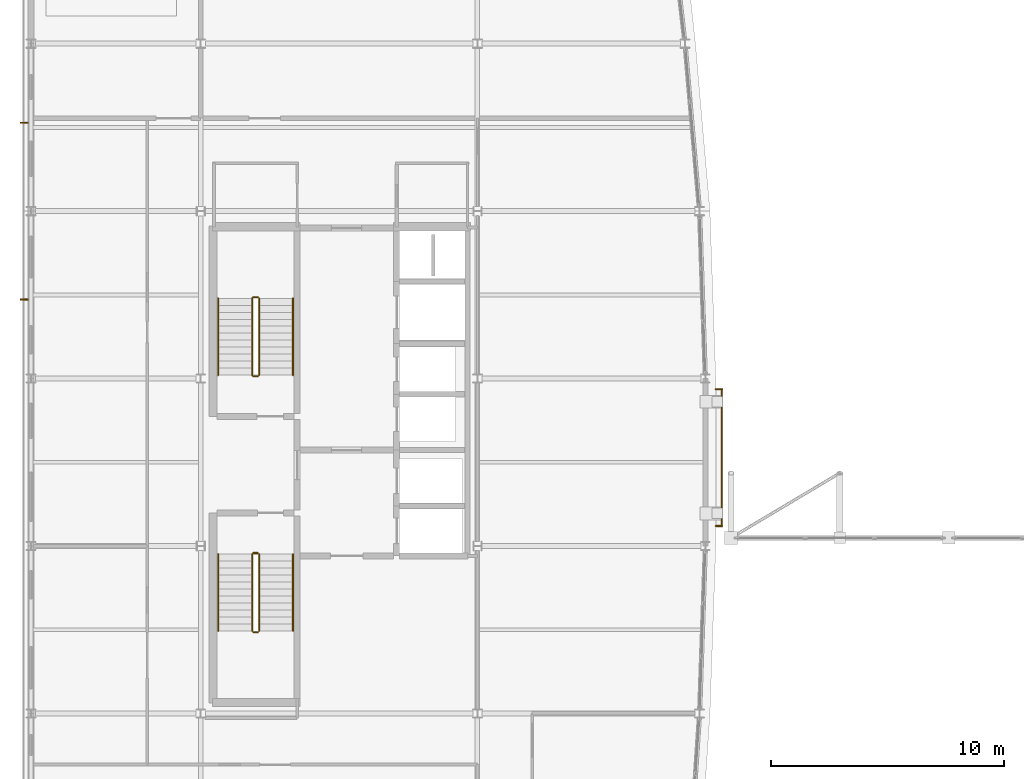
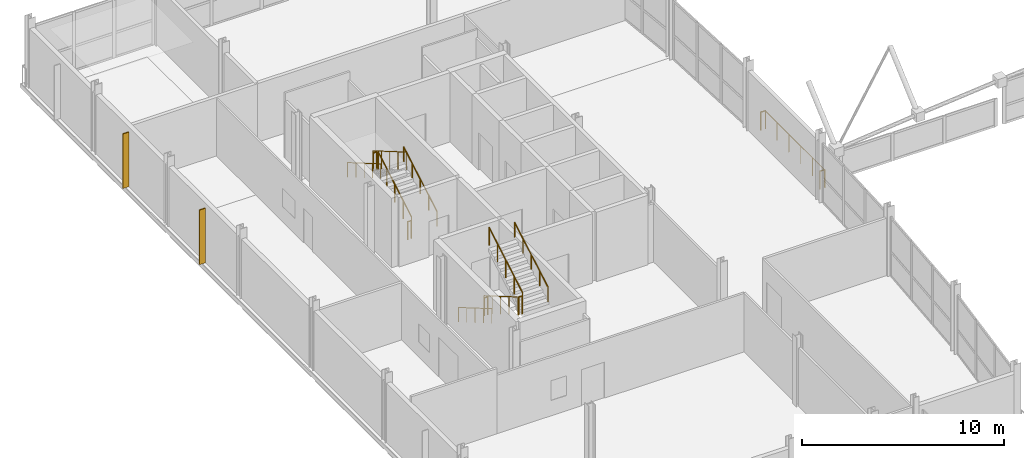
# One storey, part 58 of 60: 15 railings, 2 shading devices.
"""IFC4 building model written with IfcOpenShell, lengths in metres."""

from ifc_helpers import new_model, si_unit, direction, frame, origin, origin_2d, place, context, subcontext, project, spatial, rectangle, circle, extrude, material, type_object, element, save


model = new_model("IFC4")

# Units and contexts
model_context = context("Model", 3, precision=1e-05, world=origin(), true_north=direction((0.0, 1.0)))
body_context = subcontext(model_context, "Body", "Model", "MODEL_VIEW")
ifc_project = project(units=[si_unit("LENGTHUNIT", "METRE"), si_unit("AREAUNIT", "SQUARE_METRE"), si_unit("VOLUMEUNIT", "CUBIC_METRE"), si_unit("PLANEANGLEUNIT", "RADIAN"), si_unit("MASSUNIT", "GRAM", prefix="KILO")], contexts=[model_context])

# Site, building, storey
site_placement = place(None, origin())
site = spatial("IfcSite", under=ifc_project, at=site_placement, CompositionType="ELEMENT")
building_placement = place(site_placement, origin())
building = spatial("IfcBuilding", under=site, at=building_placement, Name="Quillay Park Conservatory", CompositionType="ELEMENT")
storey_placement = place(building_placement, frame((0.0, 0.0, 9.89990234375)))
storey = spatial("IfcBuildingStorey", under=building, at=storey_placement, Name="L02", CompositionType="ELEMENT", Elevation=9.89990234375)

# Railings
ifc_material_1 = material(Name="Steel S355J2H", Category="steel")
railing_type_1 = type_object("IfcRailingType", Name="STAIR WALL HANDRAIL 900", PredefinedType="HANDRAIL", material=ifc_material_1)
railing_1_placement = place(storey_placement, frame((11.820068359375, 92.550048828125, 0.175048828125)))
element("IfcRailing", 1, at=railing_1_placement, inside=storey, type_object=railing_type_1, Name="L02 ST-T1 stair handrail 1", PredefinedType="HANDRAIL", context=body_context, shape_type="SweptSolid", body=[
    extrude(circle(Radius=0.02392578125, at=origin_2d()), frame((0.0, 0.0, 0.8759765625), z_axis=(0.0, 0.863776583165, 0.503874998761), x_axis=(-1.0, 0.0, 0.0)), (0.0, 0.0, 1.0), 3.820556640625),
    extrude(circle(Radius=0.02099609375, at=origin_2d()), origin(), (0.0, 0.0, 1.0), 0.851806640625),
    extrude(circle(Radius=0.02099609375, at=origin_2d()), frame((0.0, 0.824951171875, 0.481201171875)), (0.0, 0.0, 1.0), 0.851806640625),
    extrude(circle(Radius=0.02099609375, at=origin_2d()), frame((0.0, 1.64990234375, 0.96240234375)), (0.0, 0.0, 1.0), 0.851806640625),
    extrude(circle(Radius=0.02099609375, at=origin_2d()), frame((0.0, 2.47509765625, 1.44384765625)), (0.0, 0.0, 1.0), 0.851806640625),
    extrude(circle(Radius=0.02099609375, at=origin_2d()), frame((0.0, 3.300048828125, 1.925048828125)), (0.0, 0.0, 1.0), 0.851806640625),
])
for number, where, name in (
    (2, (8.60009765625, 95.85009765625, 2.275146484375), "L02 ST-T1 stair handrail 2"),
    (3, (8.60009765625, 84.85009765625, 0.175048828125), "L02 ST-T2 stair handrail 1"),
):
    element("IfcRailing", number, at=place(storey_placement, frame(where)), inside=storey, type_object=railing_type_1, Name=name, PredefinedType="HANDRAIL", context=body_context, shape_type="SweptSolid", body=[
        extrude(circle(Radius=0.02392578125, at=origin_2d()), frame((0.0, 0.0, 0.8759765625), z_axis=(0.0, -0.863776583165, 0.503874998761), x_axis=(1.0, 0.0, 0.0)), (0.0, 0.0, 1.0), 3.820556640625),
        extrude(circle(Radius=0.02099609375, at=origin_2d()), origin(), (0.0, 0.0, 1.0), 0.851806640625),
        extrude(circle(Radius=0.02099609375, at=origin_2d()), frame((0.0, -0.824951171875, 0.481201171875)), (0.0, 0.0, 1.0), 0.851806640625),
        extrude(circle(Radius=0.02099609375, at=origin_2d()), frame((0.0, -1.64990234375, 0.96240234375)), (0.0, 0.0, 1.0), 0.851806640625),
        extrude(circle(Radius=0.02099609375, at=origin_2d()), frame((0.0, -2.47509765625, 1.44384765625)), (0.0, 0.0, 1.0), 0.851806640625),
        extrude(circle(Radius=0.02099609375, at=origin_2d()), frame((0.0, -3.300048828125, 1.925048828125)), (0.0, 0.0, 1.0), 0.851806640625),
    ])
railing_2_placement = place(storey_placement, frame((11.820068359375, 81.550048828125, 2.275146484375)))
element("IfcRailing", 4, at=railing_2_placement, inside=storey, type_object=railing_type_1, Name="L02 ST-T2 stair handrail 2", PredefinedType="HANDRAIL", context=body_context, shape_type="SweptSolid", body=[
    extrude(circle(Radius=0.02392578125, at=origin_2d()), frame((0.0, 0.0, 0.8759765625), z_axis=(0.0, 0.863776583165, 0.503874998761), x_axis=(-1.0, 0.0, 0.0)), (0.0, 0.0, 1.0), 3.820556640625),
    extrude(circle(Radius=0.02099609375, at=origin_2d()), origin(), (0.0, 0.0, 1.0), 0.851806640625),
    extrude(circle(Radius=0.02099609375, at=origin_2d()), frame((0.0, 0.824951171875, 0.481201171875)), (0.0, 0.0, 1.0), 0.851806640625),
    extrude(circle(Radius=0.02099609375, at=origin_2d()), frame((0.0, 1.64990234375, 0.96240234375)), (0.0, 0.0, 1.0), 0.851806640625),
    extrude(circle(Radius=0.02099609375, at=origin_2d()), frame((0.0, 2.47509765625, 1.44384765625)), (0.0, 0.0, 1.0), 0.851806640625),
    extrude(circle(Radius=0.02099609375, at=origin_2d()), frame((0.0, 3.300048828125, 1.925048828125)), (0.0, 0.0, 1.0), 0.851806640625),
])
ifc_material_2 = material(Name="Steel S355J2H", Category="steel")
railing_type_2 = type_object("IfcRailingType", Name="STAIR WELL GUARDRAIL 1100", PredefinedType="GUARDRAIL", material=ifc_material_2)
railing_3_placement = place(storey_placement, frame((10.360107421875, 92.550048828125, 0.175048828125)))
element("IfcRailing", 5, at=railing_3_placement, inside=storey, type_object=railing_type_2, Name="L02 ST-T1 stair guard 1", PredefinedType="GUARDRAIL", context=body_context, shape_type="SweptSolid", body=[
    extrude(circle(Radius=0.02392578125, at=origin_2d()), frame((0.0, 0.0, 1.076171875), z_axis=(0.0, 0.863776583165, 0.503874998761), x_axis=(-1.0, 0.0, 0.0)), (0.0, 0.0, 1.0), 3.820556640625),
    extrude(circle(Radius=0.02099609375, at=origin_2d()), origin(), (0.0, 0.0, 1.0), 1.052001953125),
    extrude(circle(Radius=0.02099609375, at=origin_2d()), frame((0.0, 0.824951171875, 0.481201171875)), (0.0, 0.0, 1.0), 1.052001953125),
    extrude(circle(Radius=0.02099609375, at=origin_2d()), frame((0.0, 1.64990234375, 0.96240234375)), (0.0, 0.0, 1.0), 1.052001953125),
    extrude(circle(Radius=0.02099609375, at=origin_2d()), frame((0.0, 2.47509765625, 1.44384765625)), (0.0, 0.0, 1.0), 1.052001953125),
    extrude(circle(Radius=0.02099609375, at=origin_2d()), frame((0.0, 3.300048828125, 1.925048828125)), (0.0, 0.0, 1.0), 1.052001953125),
])
railing_4_placement = place(storey_placement, frame((10.31005859375, 95.89990234375, 2.10009765625)))
element("IfcRailing", 6, at=railing_4_placement, inside=storey, type_object=railing_type_2, Name="L02 ST-T1 stair guard 2", PredefinedType="GUARDRAIL", context=body_context, shape_type="SweptSolid", body=[
    extrude(circle(Radius=0.02392578125, at=origin_2d()), frame((0.0, 0.0, 1.076171875), z_axis=(-1.0, 0.0, 0.0), x_axis=(0.0, -1.0, 0.0)), (0.0, 0.0, 1.0), 0.199951171875),
    extrude(circle(Radius=0.02099609375, at=origin_2d()), origin(), (0.0, 0.0, 1.0), 1.052001953125),
    extrude(circle(Radius=0.02099609375, at=origin_2d()), frame((-0.199951171875, 0.0, 0.0)), (0.0, 0.0, 1.0), 1.052001953125),
])
railing_5_placement = place(storey_placement, frame((10.06005859375, 95.85009765625, 2.275146484375)))
element("IfcRailing", 7, at=railing_5_placement, inside=storey, type_object=railing_type_2, Name="L02 ST-T1 stair guard 3", PredefinedType="GUARDRAIL", context=body_context, shape_type="SweptSolid", body=[
    extrude(circle(Radius=0.02392578125, at=origin_2d()), frame((0.0, 0.0, 1.076171875), z_axis=(0.0, -0.863776583165, 0.503874998761), x_axis=(1.0, 0.0, 0.0)), (0.0, 0.0, 1.0), 3.820556640625),
    extrude(circle(Radius=0.02099609375, at=origin_2d()), origin(), (0.0, 0.0, 1.0), 1.052001953125),
    extrude(circle(Radius=0.02099609375, at=origin_2d()), frame((0.0, -0.824951171875, 0.481201171875)), (0.0, 0.0, 1.0), 1.052001953125),
    extrude(circle(Radius=0.02099609375, at=origin_2d()), frame((0.0, -1.64990234375, 0.96240234375)), (0.0, 0.0, 1.0), 1.052001953125),
    extrude(circle(Radius=0.02099609375, at=origin_2d()), frame((0.0, -2.47509765625, 1.44384765625)), (0.0, 0.0, 1.0), 1.052001953125),
    extrude(circle(Radius=0.02099609375, at=origin_2d()), frame((0.0, -3.300048828125, 1.925048828125)), (0.0, 0.0, 1.0), 1.052001953125),
])
railing_6_placement = place(storey_placement, frame((10.31005859375, 92.5, 0.0)))
element("IfcRailing", 8, at=railing_6_placement, inside=storey, type_object=railing_type_2, Name="L02 ST-T1 stair guard 4", PredefinedType="GUARDRAIL", context=body_context, shape_type="SweptSolid", body=[
    extrude(circle(Radius=0.02392578125, at=origin_2d()), frame((0.0, 0.0, 1.076171875), z_axis=(-1.0, 0.0, 0.0), x_axis=(0.0, -1.0, 0.0)), (0.0, 0.0, 1.0), 0.199951171875),
    extrude(circle(Radius=0.02099609375, at=origin_2d()), origin(), (0.0, 0.0, 1.0), 1.052001953125),
    extrude(circle(Radius=0.02099609375, at=origin_2d()), frame((-0.199951171875, 0.0, 0.0)), (0.0, 0.0, 1.0), 1.052001953125),
])
railing_7_placement = place(storey_placement, frame((10.06005859375, 84.85009765625, 0.175048828125)))
element("IfcRailing", 9, at=railing_7_placement, inside=storey, type_object=railing_type_2, Name="L02 ST-T2 stair guard 1", PredefinedType="GUARDRAIL", context=body_context, shape_type="SweptSolid", body=[
    extrude(circle(Radius=0.02392578125, at=origin_2d()), frame((0.0, 0.0, 1.076171875), z_axis=(0.0, -0.863776583165, 0.503874998761), x_axis=(1.0, 0.0, 0.0)), (0.0, 0.0, 1.0), 3.820556640625),
    extrude(circle(Radius=0.02099609375, at=origin_2d()), origin(), (0.0, 0.0, 1.0), 1.052001953125),
    extrude(circle(Radius=0.02099609375, at=origin_2d()), frame((0.0, -0.824951171875, 0.481201171875)), (0.0, 0.0, 1.0), 1.052001953125),
    extrude(circle(Radius=0.02099609375, at=origin_2d()), frame((0.0, -1.64990234375, 0.96240234375)), (0.0, 0.0, 1.0), 1.052001953125),
    extrude(circle(Radius=0.02099609375, at=origin_2d()), frame((0.0, -2.47509765625, 1.44384765625)), (0.0, 0.0, 1.0), 1.052001953125),
    extrude(circle(Radius=0.02099609375, at=origin_2d()), frame((0.0, -3.300048828125, 1.925048828125)), (0.0, 0.0, 1.0), 1.052001953125),
])
railing_8_placement = place(storey_placement, frame((10.110107421875, 81.5, 2.10009765625)))
element("IfcRailing", 10, at=railing_8_placement, inside=storey, type_object=railing_type_2, Name="L02 ST-T2 stair guard 2", PredefinedType="GUARDRAIL", context=body_context, shape_type="SweptSolid", body=[
    extrude(circle(Radius=0.02392578125, at=origin_2d()), frame((0.0, 0.0, 1.076171875), z_axis=(1.0, 0.0, 0.0), x_axis=(0.0, 1.0, 0.0)), (0.0, 0.0, 1.0), 0.199951171875),
    extrude(circle(Radius=0.02099609375, at=origin_2d()), origin(), (0.0, 0.0, 1.0), 1.052001953125),
    extrude(circle(Radius=0.02099609375, at=origin_2d()), frame((0.199951171875, 0.0, 0.0)), (0.0, 0.0, 1.0), 1.052001953125),
])
railing_9_placement = place(storey_placement, frame((10.360107421875, 81.550048828125, 2.275146484375)))
element("IfcRailing", 11, at=railing_9_placement, inside=storey, type_object=railing_type_2, Name="L02 ST-T2 stair guard 3", PredefinedType="GUARDRAIL", context=body_context, shape_type="SweptSolid", body=[
    extrude(circle(Radius=0.02392578125, at=origin_2d()), frame((0.0, 0.0, 1.076171875), z_axis=(0.0, 0.863776583165, 0.503874998761), x_axis=(-1.0, 0.0, 0.0)), (0.0, 0.0, 1.0), 3.820556640625),
    extrude(circle(Radius=0.02099609375, at=origin_2d()), origin(), (0.0, 0.0, 1.0), 1.052001953125),
    extrude(circle(Radius=0.02099609375, at=origin_2d()), frame((0.0, 0.824951171875, 0.481201171875)), (0.0, 0.0, 1.0), 1.052001953125),
    extrude(circle(Radius=0.02099609375, at=origin_2d()), frame((0.0, 1.64990234375, 0.96240234375)), (0.0, 0.0, 1.0), 1.052001953125),
    extrude(circle(Radius=0.02099609375, at=origin_2d()), frame((0.0, 2.47509765625, 1.44384765625)), (0.0, 0.0, 1.0), 1.052001953125),
    extrude(circle(Radius=0.02099609375, at=origin_2d()), frame((0.0, 3.300048828125, 1.925048828125)), (0.0, 0.0, 1.0), 1.052001953125),
])
railing_10_placement = place(storey_placement, frame((10.110107421875, 84.89990234375, 0.0)))
element("IfcRailing", 12, at=railing_10_placement, inside=storey, type_object=railing_type_2, Name="L02 ST-T2 stair guard 4", PredefinedType="GUARDRAIL", context=body_context, shape_type="SweptSolid", body=[
    extrude(circle(Radius=0.02392578125, at=origin_2d()), frame((0.0, 0.0, 1.076171875), z_axis=(1.0, 0.0, 0.0), x_axis=(0.0, 1.0, 0.0)), (0.0, 0.0, 1.0), 0.199951171875),
    extrude(circle(Radius=0.02099609375, at=origin_2d()), origin(), (0.0, 0.0, 1.0), 1.052001953125),
    extrude(circle(Radius=0.02099609375, at=origin_2d()), frame((0.199951171875, 0.0, 0.0)), (0.0, 0.0, 1.0), 1.052001953125),
])
ifc_material_3 = material(Name="Steel S355J2H", Category="steel")
railing_type_3 = type_object("IfcRailingType", Name="TERRACE PERIMETER GUARDRAIL 1100", PredefinedType="GUARDRAIL", material=ifc_material_3)
for number, where, name in (
    (13, (30.0, 86.06005859375, 0.0), "L02 Perimeter Safety Guardrail 016"),
    (14, (30.0, 91.93994140625, 0.0), "L02 Perimeter Safety Guardrail 017"),
):
    element("IfcRailing", number, at=place(storey_placement, frame(where)), inside=storey, type_object=railing_type_3, Name=name, PredefinedType="GUARDRAIL", context=body_context, shape_type="SweptSolid", body=[
        extrude(circle(Radius=0.02392578125, at=origin_2d()), frame((0.0, 0.0, 1.076171875), z_axis=(1.0, 0.0, 0.0), x_axis=(0.0, 1.0, 0.0)), (0.0, 0.0, 1.0), 0.280029296875),
        extrude(circle(Radius=0.02099609375, at=origin_2d()), origin(), (0.0, 0.0, 1.0), 1.052001953125),
        extrude(circle(Radius=0.02099609375, at=origin_2d()), frame((0.280029296875, 0.0, 0.0)), (0.0, 0.0, 1.0), 1.052001953125),
    ])
railing_11_placement = place(storey_placement, frame((30.260009765625, 86.06005859375, 0.0)))
element("IfcRailing", 15, at=railing_11_placement, inside=storey, type_object=railing_type_3, Name="L02 Perimeter Safety Guardrail 018", PredefinedType="GUARDRAIL", context=body_context, shape_type="SweptSolid", body=[
    extrude(circle(Radius=0.02392578125, at=origin_2d()), frame((0.0, 0.0, 1.076171875), z_axis=(0.0, 1.0, 0.0), x_axis=(-1.0, 0.0, 0.0)), (0.0, 0.0, 1.0), 5.8798828125),
    extrude(circle(Radius=0.02099609375, at=origin_2d()), origin(), (0.0, 0.0, 1.0), 1.052001953125),
    extrude(circle(Radius=0.02099609375, at=origin_2d()), frame((0.0, 1.176025390625, 0.0)), (0.0, 0.0, 1.0), 1.052001953125),
    extrude(circle(Radius=0.02099609375, at=origin_2d()), frame((0.0, 2.35205078125, 0.0)), (0.0, 0.0, 1.0), 1.052001953125),
    extrude(circle(Radius=0.02099609375, at=origin_2d()), frame((0.0, 3.52783203125, 0.0)), (0.0, 0.0, 1.0), 1.052001953125),
    extrude(circle(Radius=0.02099609375, at=origin_2d()), frame((0.0, 4.703857421875, 0.0)), (0.0, 0.0, 1.0), 1.052001953125),
    extrude(circle(Radius=0.02099609375, at=origin_2d()), frame((0.0, 5.8798828125, 0.0)), (0.0, 0.0, 1.0), 1.052001953125),
])

# Shading devices
ifc_material_4 = material(Name="Perforated Copper-Bronze Anodised Aluminium", Category="aluminium")
shading_device_type = type_object("IfcShadingDeviceType", Name="COPPER BRONZE SOLAR FIN", PredefinedType="USERDEFINED", material=ifc_material_4)
for number, where, z_axis, x_axis, name in (
    (16, (0.2548828125, 95.800048828125, 0.0), (0.0, 0.0, 1.0), (1.0, 0.0, 0.0), "L02 Perforated Copper-Bronze Solar Fin 003"),
    (17, (0.2548828125, 103.39990234375, 0.0), (0.0, 0.0, 1.0), (1.0, 0.0, 0.0), "L02 Perforated Copper-Bronze Solar Fin 004"),
):
    element("IfcShadingDevice", number, at=place(storey_placement, frame(where, z_axis=z_axis, x_axis=x_axis)), inside=storey, type_object=shading_device_type, Name=name, ObjectType="SOLAR FIN", PredefinedType="USERDEFINED", context=body_context, shape_type="SweptSolid", body=[
        extrude(rectangle(XDim=0.35009765625, YDim=0.054931640625, at=origin_2d()), origin(), (0.0, 0.0, 1.0), 3.300048828125),
    ])

save(model, "model.ifc")
